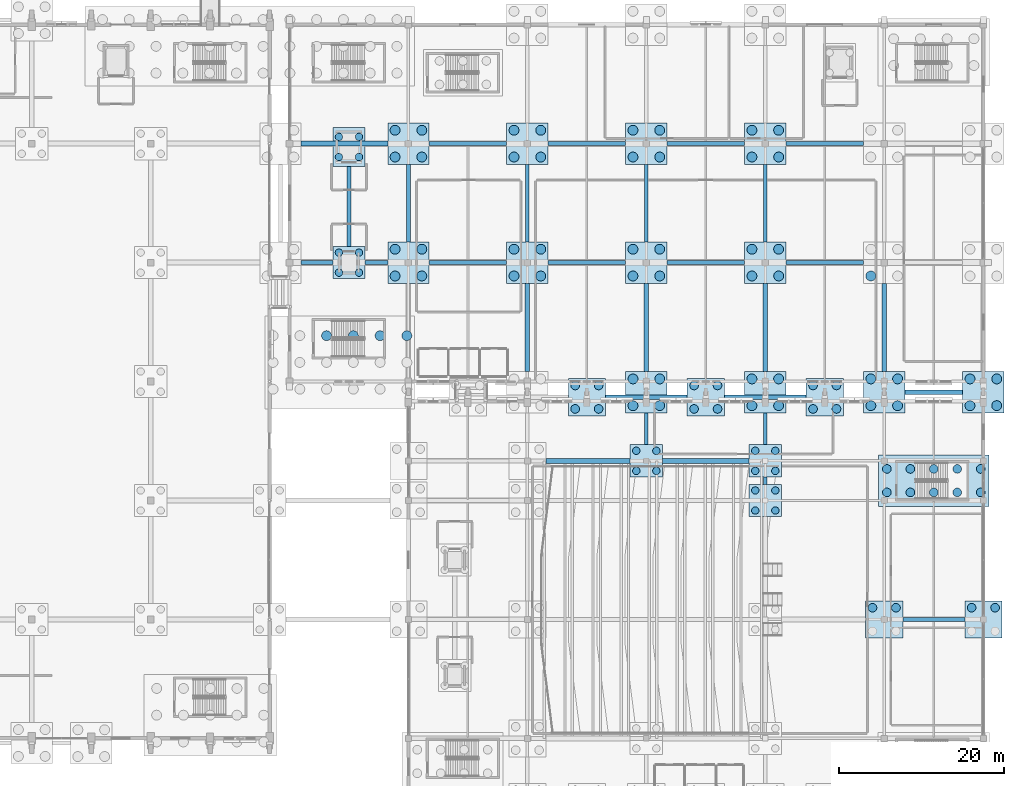
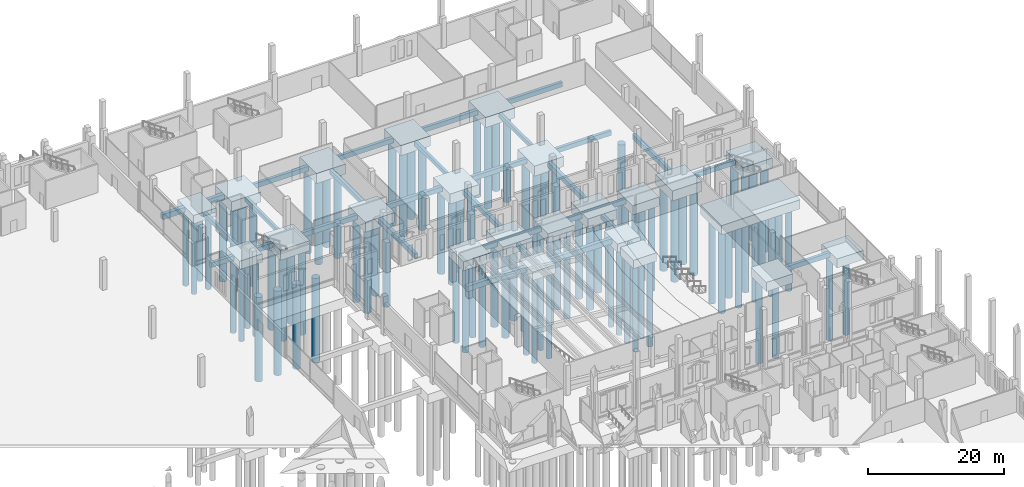
# One storey, part 6 of 192: 99 piles, 52 footings.
"""IFC4 building model written with IfcOpenShell, lengths in metres."""

from ifc_helpers import new_model, si_unit, direction, frame, origin, origin_2d, place, context, subcontext, project, spatial, rectangle, circle, extrude, material, material_profile, profile_set, type_object, element, save


model = new_model("IFC4")

# Units and contexts
model_context = context("Model", 3, precision=1e-05, world=origin(), true_north=direction((0.0, 1.0)))
body_context = subcontext(model_context, "Body", "Model", "MODEL_VIEW")
ifc_project = project(units=[si_unit("LENGTHUNIT", "METRE"), si_unit("AREAUNIT", "SQUARE_METRE"), si_unit("VOLUMEUNIT", "CUBIC_METRE"), si_unit("PLANEANGLEUNIT", "RADIAN"), si_unit("MASSUNIT", "GRAM", prefix="KILO")], contexts=[model_context])

# Site, building, storey
site_placement = place(None, origin())
site = spatial("IfcSite", under=ifc_project, at=site_placement, CompositionType="ELEMENT")
building_placement = place(site_placement, origin())
building = spatial("IfcBuilding", under=site, at=building_placement, Name="Cendralis Lancet Convention Centre", CompositionType="ELEMENT")
storey_placement = place(building_placement, origin())
storey = spatial("IfcBuildingStorey", under=building, at=storey_placement, Name="L00", CompositionType="ELEMENT", Elevation=0.0)

# Footings
ifc_material = material(Name="Concrete G35 (C35/45)", Category="concrete")
footing_type_1 = type_object("IfcFootingType", Name="STR-FT-PC02", PredefinedType="PILE_CAP", material=ifc_material)
for number, where, z_axis, x_axis, name in (
    (1, (160.800048828125, 91.705078125, -3.300048828125), (0.0, 0.0, 1.0), (1.0, 0.0, 0.0), "Pile Cap PC-02 #173"),
    (2, (175.199951171875, 91.705078125, -3.300048828125), (0.0, 0.0, 1.0), (1.0, 0.0, 0.0), "Pile Cap PC-02 #182"),
    (3, (189.60009765625, 91.705078125, -3.300048828125), (0.0, 0.0, 1.0), (1.0, 0.0, 0.0), "Pile Cap PC-02 #193"),
    (4, (196.800048828125, 64.800048828125, -3.300048828125), (0.0, 0.0, 1.0), (1.0, 0.0, 0.0), "Pile Cap PC-02 #195"),
    (5, (208.800048828125, 64.800048828125, -3.300048828125), (0.0, 0.0, 1.0), (1.0, 0.0, 0.0), "Pile Cap PC-02 #202"),
):
    element("IfcFooting", number, at=place(storey_placement, frame(where, z_axis=z_axis, x_axis=x_axis)), inside=storey, type_object=footing_type_1, Name=name, PredefinedType="PILE_CAP", context=body_context, shape_type="SweptSolid", body=[
        extrude(rectangle(XDim=4.5, YDim=4.5, at=origin_2d()), origin(), (0.0, 0.0, 1.0), 1.64990234375),
    ])
footing_type_2 = type_object("IfcFootingType", Name="STR-FT-PC04", PredefinedType="PILE_CAP", material=ifc_material)
for number, where, z_axis, x_axis, name in (
    (6, (132.0, 108.0, -3.14990234375), (0.0, 0.0, 1.0), (1.0, 0.0, 0.0), "Pile Cap PC-04 #150"),
    (7, (168.0, 84.0, -3.14990234375), (0.0, 0.0, 1.0), (1.0, 0.0, 0.0), "Pile Cap PC-04 #176"),
    (8, (182.39990234375, 79.199951171875, -3.14990234375), (0.0, 0.0, 1.0), (1.0, 0.0, 0.0), "Pile Cap PC-04 #186"),
    (9, (182.39990234375, 84.0, -3.14990234375), (0.0, 0.0, 1.0), (1.0, 0.0, 0.0), "Pile Cap PC-04 #187"),
):
    element("IfcFooting", number, at=place(storey_placement, frame(where, z_axis=z_axis, x_axis=x_axis)), inside=storey, type_object=footing_type_2, Name=name, PredefinedType="PILE_CAP", context=body_context, shape_type="SweptSolid", body=[
        extrude(rectangle(XDim=3.89990234375, YDim=3.89990234375, at=origin_2d()), origin(), (0.0, 0.0, 1.0), 1.5),
    ])
footing_type_3 = type_object("IfcFootingType", Name="STR-FT-PC16", PredefinedType="PILE_CAP", material=ifc_material)
for number, where, z_axis, x_axis, name in (
    (10, (139.199951171875, 108.0, -3.4501953125), (0.0, 0.0, 1.0), (1.0, 0.0, 0.0), "Pile Cap PC-16 #155"),
    (11, (139.199951171875, 122.39990234375, -3.4501953125), (0.0, 0.0, 1.0), (1.0, 0.0, 0.0), "Pile Cap PC-16 #156"),
    (12, (153.60009765625, 108.0, -3.4501953125), (0.0, 0.0, 1.0), (1.0, 0.0, 0.0), "Pile Cap PC-16 #168"),
    (13, (153.60009765625, 122.39990234375, -3.4501953125), (0.0, 0.0, 1.0), (1.0, 0.0, 0.0), "Pile Cap PC-16 #169"),
    (14, (168.0, 92.300048828125, -3.4501953125), (0.0, 0.0, 1.0), (1.0, 0.0, 0.0), "Pile Cap PC-16 #177"),
    (15, (168.0, 108.0, -3.4501953125), (0.0, 0.0, 1.0), (1.0, 0.0, 0.0), "Pile Cap PC-16 #178"),
    (16, (168.0, 122.39990234375, -3.4501953125), (0.0, 0.0, 1.0), (1.0, 0.0, 0.0), "Pile Cap PC-16 #179"),
    (17, (182.39990234375, 92.300048828125, -3.4501953125), (0.0, 0.0, 1.0), (1.0, 0.0, 0.0), "Pile Cap PC-16 #188"),
    (18, (182.39990234375, 108.0, -3.4501953125), (0.0, 0.0, 1.0), (1.0, 0.0, 0.0), "Pile Cap PC-16 #189"),
    (19, (182.39990234375, 122.39990234375, -3.4501953125), (0.0, 0.0, 1.0), (1.0, 0.0, 0.0), "Pile Cap PC-16 #190"),
    (20, (196.800048828125, 92.300048828125, -3.4501953125), (0.0, 0.0, 1.0), (1.0, 0.0, 0.0), "Pile Cap PC-16 #196"),
    (21, (208.800048828125, 92.300048828125, -3.4501953125), (0.0, 0.0, 1.0), (1.0, 0.0, 0.0), "Pile Cap PC-16 #203"),
):
    element("IfcFooting", number, at=place(storey_placement, frame(where, z_axis=z_axis, x_axis=x_axis)), inside=storey, type_object=footing_type_3, Name=name, PredefinedType="PILE_CAP", context=body_context, shape_type="SweptSolid", body=[
        extrude(rectangle(XDim=5.0, YDim=5.0, at=origin_2d()), origin(), (0.0, 0.0, 1.0), 1.800048828125),
    ])
footing_type_4 = type_object("IfcFootingType", Name="STR-FT-PC28", PredefinedType="PILE_CAP", material=ifc_material)
footing_1_placement = place(storey_placement, frame((132.0, 122.0, -3.14990234375), z_axis=(0.0, 0.0, 1.0), x_axis=(1.0, 0.0, 0.0)))
element("IfcFooting", 22, at=footing_1_placement, inside=storey, type_object=footing_type_4, Name="Pile Cap PC-28 #151", PredefinedType="PILE_CAP", context=body_context, shape_type="SweptSolid", body=[
    extrude(rectangle(XDim=3.89990234375, YDim=4.699951171875, at=origin_2d()), origin(), (0.0, 0.0, 1.0), 1.5),
])
footing_type_5 = type_object("IfcFootingType", Name="STR-FT-PC31", PredefinedType="PILE_CAP", material=ifc_material)
footing_2_placement = place(storey_placement, frame((202.800048828125, 81.60009765625, -3.300048828125), z_axis=(0.0, 0.0, 1.0), x_axis=(1.0, 0.0, 0.0)))
element("IfcFooting", 23, at=footing_2_placement, inside=storey, type_object=footing_type_5, Name="Pile Cap PC-31 #200", PredefinedType="PILE_CAP", context=body_context, shape_type="SweptSolid", body=[
    extrude(rectangle(XDim=13.39990234375, YDim=6.199951171875, at=origin_2d()), origin(), (0.0, 0.0, 1.0), 1.64990234375),
])
ifc_material_profile_1 = material_profile(ifc_material, rectangle(XDim=0.60009765625, YDim=0.949951171875, at=origin_2d()), Name="RCB 600x950")
ifc_profile_set_1 = profile_set([ifc_material_profile_1], Name="Concrete G35 (C35/45)")
footing_type_6 = type_object("IfcFootingType", Name="STR-GB-GB01", PredefinedType="FOOTING_BEAM", material=ifc_profile_set_1)
footing_3_placement = place(storey_placement, frame((155.85009765625, 84.0, -2.125), z_axis=(1.0, 0.0, 0.0), x_axis=(0.0, 1.0, 0.0)))
element("IfcFooting", 24, at=footing_3_placement, inside=storey, type_object=footing_type_6, Name="Ground Tie Beam GB01 X-093", PredefinedType="FOOTING_BEAM", context=body_context, shape_type="SweptSolid", body=[
    extrude(rectangle(XDim=0.60009765625, YDim=0.949951171875, at=origin_2d()), origin(), (0.0, 0.0, 1.0), 10.199951171875),
])
footing_4_placement = place(storey_placement, frame((169.949951171875, 84.0, -2.125), z_axis=(1.0, 0.0, 0.0), x_axis=(0.0, 1.0, 0.0)))
element("IfcFooting", 25, at=footing_4_placement, inside=storey, type_object=footing_type_6, Name="Ground Tie Beam GB01 X-094", PredefinedType="FOOTING_BEAM", context=body_context, shape_type="SweptSolid", body=[
    extrude(rectangle(XDim=0.60009765625, YDim=0.949951171875, at=origin_2d()), origin(), (0.0, 0.0, 1.0), 10.5),
])
footing_5_placement = place(storey_placement, frame((126.211181640625, 122.39990234375, -2.125), z_axis=(1.0, 0.0, 0.0), x_axis=(0.0, 1.0, 0.0)))
element("IfcFooting", 26, at=footing_5_placement, inside=storey, type_object=footing_type_6, Name="Ground Tie Beam GB01 X-120", PredefinedType="FOOTING_BEAM", context=body_context, shape_type="SweptSolid", body=[
    extrude(rectangle(XDim=0.60009765625, YDim=0.949951171875, at=origin_2d()), origin(), (0.0, 0.0, 1.0), 10.48876953125),
])
ifc_material_profile_2 = material_profile(ifc_material, rectangle(XDim=0.550048828125, YDim=0.89990234375, at=origin_2d()), Name="RCB 550x900")
ifc_profile_set_2 = profile_set([ifc_material_profile_2], Name="Concrete G35 (C35/45)")
footing_type_7 = type_object("IfcFootingType", Name="STR-GB-GB02", PredefinedType="FOOTING_BEAM", material=ifc_profile_set_2)
for number, where, z_axis, x_axis, name in (
    (27, (153.60009765625, 94.800048828125, -2.10009765625), (0.0, 1.0, 0.0), (-1.0, 0.0, 0.0), "Ground Tie Beam GB02 Y-219"),
    (28, (168.0, 94.800048828125, -2.10009765625), (0.0, 1.0, 0.0), (-1.0, 0.0, 0.0), "Ground Tie Beam GB02 Y-224"),
    (29, (182.39990234375, 94.800048828125, -2.10009765625), (0.0, 1.0, 0.0), (-1.0, 0.0, 0.0), "Ground Tie Beam GB02 Y-232"),
    (30, (196.800048828125, 94.800048828125, -2.10009765625), (0.0, 1.0, 0.0), (-1.0, 0.0, 0.0), "Ground Tie Beam GB02 Y-235"),
):
    element("IfcFooting", number, at=place(storey_placement, frame(where, z_axis=z_axis, x_axis=x_axis)), inside=storey, type_object=footing_type_7, Name=name, PredefinedType="FOOTING_BEAM", context=body_context, shape_type="SweptSolid", body=[
        extrude(rectangle(XDim=0.550048828125, YDim=0.89990234375, at=origin_2d()), origin(), (0.0, 0.0, 1.0), 10.699951171875),
    ])
ifc_material_profile_3 = material_profile(ifc_material, rectangle(XDim=0.5, YDim=0.85009765625, at=origin_2d()), Name="RCB 500x850")
ifc_profile_set_3 = profile_set([ifc_material_profile_3], Name="Concrete G35 (C35/45)")
footing_type_8 = type_object("IfcFootingType", Name="STR-GB-GB03", PredefinedType="FOOTING_BEAM", material=ifc_profile_set_3)
footing_6_placement = place(storey_placement, frame((199.050048828125, 64.800048828125, -2.074951171875), z_axis=(1.0, 0.0, 0.0), x_axis=(0.0, 1.0, 0.0)))
element("IfcFooting", 31, at=footing_6_placement, inside=storey, type_object=footing_type_8, Name="Ground Tie Beam GB03 X-087", PredefinedType="FOOTING_BEAM", context=body_context, shape_type="SweptSolid", body=[
    extrude(rectangle(XDim=0.5, YDim=0.85009765625, at=origin_2d()), origin(), (0.0, 0.0, 1.0), 7.5),
])
footing_7_placement = place(storey_placement, frame((163.050048828125, 91.705078125, -2.074951171875), z_axis=(1.0, 0.0, 0.0), x_axis=(0.0, 1.0, 0.0)))
element("IfcFooting", 32, at=footing_7_placement, inside=storey, type_object=footing_type_8, Name="Ground Tie Beam GB03 X-096", PredefinedType="FOOTING_BEAM", context=body_context, shape_type="SweptSolid", body=[
    extrude(rectangle(XDim=0.5, YDim=0.85009765625, at=origin_2d()), origin(), (0.0, 0.0, 1.0), 9.89990234375),
])
footing_8_placement = place(storey_placement, frame((177.449951171875, 91.705078125, -2.074951171875), z_axis=(1.0, 0.0, 0.0), x_axis=(0.0, 1.0, 0.0)))
element("IfcFooting", 33, at=footing_8_placement, inside=storey, type_object=footing_type_8, Name="Ground Tie Beam GB03 X-097", PredefinedType="FOOTING_BEAM", context=body_context, shape_type="SweptSolid", body=[
    extrude(rectangle(XDim=0.5, YDim=0.85009765625, at=origin_2d()), origin(), (0.0, 0.0, 1.0), 9.900146484375),
])
footing_9_placement = place(storey_placement, frame((199.300048828125, 92.300048828125, -2.074951171875), z_axis=(1.0, 0.0, 0.0), x_axis=(0.0, 1.0, 0.0)))
element("IfcFooting", 34, at=footing_9_placement, inside=storey, type_object=footing_type_8, Name="Ground Tie Beam GB03 X-098", PredefinedType="FOOTING_BEAM", context=body_context, shape_type="SweptSolid", body=[
    extrude(rectangle(XDim=0.5, YDim=0.85009765625, at=origin_2d()), origin(), (0.0, 0.0, 1.0), 7.0),
])
footing_10_placement = place(storey_placement, frame((126.211181640625, 108.0, -2.074951171875), z_axis=(1.0, 0.0, 0.0), x_axis=(0.0, 1.0, 0.0)))
element("IfcFooting", 35, at=footing_10_placement, inside=storey, type_object=footing_type_8, Name="Ground Tie Beam GB03 X-102", PredefinedType="FOOTING_BEAM", context=body_context, shape_type="SweptSolid", body=[
    extrude(rectangle(XDim=0.5, YDim=0.85009765625, at=origin_2d()), origin(), (0.0, 0.0, 1.0), 3.8388671875),
])
footing_11_placement = place(storey_placement, frame((133.949951171875, 108.0, -2.074951171875), z_axis=(1.0, 0.0, 0.0), x_axis=(0.0, 1.0, 0.0)))
element("IfcFooting", 36, at=footing_11_placement, inside=storey, type_object=footing_type_8, Name="Ground Tie Beam GB03 X-103", PredefinedType="FOOTING_BEAM", context=body_context, shape_type="SweptSolid", body=[
    extrude(rectangle(XDim=0.5, YDim=0.85009765625, at=origin_2d()), origin(), (0.0, 0.0, 1.0), 2.75),
])
footing_12_placement = place(storey_placement, frame((141.699951171875, 108.0, -2.074951171875), z_axis=(1.0, 0.0, 0.0), x_axis=(0.0, 1.0, 0.0)))
element("IfcFooting", 37, at=footing_12_placement, inside=storey, type_object=footing_type_8, Name="Ground Tie Beam GB03 X-104", PredefinedType="FOOTING_BEAM", context=body_context, shape_type="SweptSolid", body=[
    extrude(rectangle(XDim=0.5, YDim=0.85009765625, at=origin_2d()), origin(), (0.0, 0.0, 1.0), 9.400146484375),
])
for number, where, z_axis, x_axis, name in (
    (38, (156.10009765625, 108.0, -2.074951171875), (1.0, 0.0, 0.0), (0.0, 1.0, 0.0), "Ground Tie Beam GB03 X-105"),
    (39, (170.5, 108.0, -2.074951171875), (1.0, 0.0, 0.0), (0.0, 1.0, 0.0), "Ground Tie Beam GB03 X-106"),
):
    element("IfcFooting", number, at=place(storey_placement, frame(where, z_axis=z_axis, x_axis=x_axis)), inside=storey, type_object=footing_type_8, Name=name, PredefinedType="FOOTING_BEAM", context=body_context, shape_type="SweptSolid", body=[
        extrude(rectangle(XDim=0.5, YDim=0.85009765625, at=origin_2d()), origin(), (0.0, 0.0, 1.0), 9.39990234375),
    ])
for number, where, z_axis, x_axis, name in (
    (40, (184.89990234375, 108.0, -2.074951171875), (1.0, 0.0, 0.0), (0.0, 1.0, 0.0), "Ground Tie Beam GB03 X-107"),
    (41, (141.699951171875, 122.39990234375, -2.074951171875), (1.0, 0.0, 0.0), (0.0, 1.0, 0.0), "Ground Tie Beam GB03 X-121"),
):
    element("IfcFooting", number, at=place(storey_placement, frame(where, z_axis=z_axis, x_axis=x_axis)), inside=storey, type_object=footing_type_8, Name=name, PredefinedType="FOOTING_BEAM", context=body_context, shape_type="SweptSolid", body=[
        extrude(rectangle(XDim=0.5, YDim=0.85009765625, at=origin_2d()), origin(), (0.0, 0.0, 1.0), 9.400146484375),
    ])
for number, where, z_axis, x_axis, name in (
    (42, (156.10009765625, 122.39990234375, -2.074951171875), (1.0, 0.0, 0.0), (0.0, 1.0, 0.0), "Ground Tie Beam GB03 X-122"),
    (43, (170.5, 122.39990234375, -2.074951171875), (1.0, 0.0, 0.0), (0.0, 1.0, 0.0), "Ground Tie Beam GB03 X-123"),
):
    element("IfcFooting", number, at=place(storey_placement, frame(where, z_axis=z_axis, x_axis=x_axis)), inside=storey, type_object=footing_type_8, Name=name, PredefinedType="FOOTING_BEAM", context=body_context, shape_type="SweptSolid", body=[
        extrude(rectangle(XDim=0.5, YDim=0.85009765625, at=origin_2d()), origin(), (0.0, 0.0, 1.0), 9.39990234375),
    ])
footing_13_placement = place(storey_placement, frame((184.89990234375, 122.39990234375, -2.074951171875), z_axis=(1.0, 0.0, 0.0), x_axis=(0.0, 1.0, 0.0)))
element("IfcFooting", 44, at=footing_13_placement, inside=storey, type_object=footing_type_8, Name="Ground Tie Beam GB03 X-124", PredefinedType="FOOTING_BEAM", context=body_context, shape_type="SweptSolid", body=[
    extrude(rectangle(XDim=0.5, YDim=0.85009765625, at=origin_2d()), origin(), (0.0, 0.0, 1.0), 9.400146484375),
])
ifc_material_profile_4 = material_profile(ifc_material, rectangle(XDim=0.449951171875, YDim=0.75, at=origin_2d()), Name="RCB 450x750")
ifc_profile_set_4 = profile_set([ifc_material_profile_4], Name="Concrete G35 (C35/45)")
footing_type_9 = type_object("IfcFootingType", Name="STR-GB-GB04", PredefinedType="FOOTING_BEAM", material=ifc_profile_set_4)
footing_14_placement = place(storey_placement, frame((132.0, 109.949951171875, -2.02490234375), z_axis=(0.0, 1.0, 0.0), x_axis=(-1.0, 0.0, 0.0)))
element("IfcFooting", 45, at=footing_14_placement, inside=storey, type_object=footing_type_9, Name="Ground Tie Beam GB04 Y-210", PredefinedType="FOOTING_BEAM", context=body_context, shape_type="SweptSolid", body=[
    extrude(rectangle(XDim=0.449951171875, YDim=0.75, at=origin_2d()), origin(), (0.0, 0.0, 1.0), 9.699951171875),
])
for number, where, z_axis, x_axis, name in (
    (46, (139.199951171875, 110.5, -2.02490234375), (0.0, 1.0, 0.0), (-1.0, 0.0, 0.0), "Ground Tie Beam GB04 Y-213"),
    (47, (153.60009765625, 110.5, -2.02490234375), (0.0, 1.0, 0.0), (-1.0, 0.0, 0.0), "Ground Tie Beam GB04 Y-220"),
):
    element("IfcFooting", number, at=place(storey_placement, frame(where, z_axis=z_axis, x_axis=x_axis)), inside=storey, type_object=footing_type_9, Name=name, PredefinedType="FOOTING_BEAM", context=body_context, shape_type="SweptSolid", body=[
        extrude(rectangle(XDim=0.449951171875, YDim=0.75, at=origin_2d()), origin(), (0.0, 0.0, 1.0), 9.39990234375),
    ])
footing_15_placement = place(storey_placement, frame((168.0, 85.949951171875, -2.02490234375), z_axis=(0.0, 1.0, 0.0), x_axis=(-1.0, 0.0, 0.0)))
element("IfcFooting", 48, at=footing_15_placement, inside=storey, type_object=footing_type_9, Name="Ground Tie Beam GB04 Y-223", PredefinedType="FOOTING_BEAM", context=body_context, shape_type="SweptSolid", body=[
    extrude(rectangle(XDim=0.449951171875, YDim=0.75, at=origin_2d()), origin(), (0.0, 0.0, 1.0), 3.85009765625),
])
footing_16_placement = place(storey_placement, frame((168.0, 110.5, -2.02490234375), z_axis=(0.0, 1.0, 0.0), x_axis=(-1.0, 0.0, 0.0)))
element("IfcFooting", 49, at=footing_16_placement, inside=storey, type_object=footing_type_9, Name="Ground Tie Beam GB04 Y-225", PredefinedType="FOOTING_BEAM", context=body_context, shape_type="SweptSolid", body=[
    extrude(rectangle(XDim=0.449951171875, YDim=0.75, at=origin_2d()), origin(), (0.0, 0.0, 1.0), 9.39990234375),
])
footing_17_placement = place(storey_placement, frame((182.39990234375, 81.14990234375, -2.02490234375), z_axis=(0.0, 1.0, 0.0), x_axis=(-1.0, 0.0, 0.0)))
element("IfcFooting", 50, at=footing_17_placement, inside=storey, type_object=footing_type_9, Name="Ground Tie Beam GB04 Y-230", PredefinedType="FOOTING_BEAM", context=body_context, shape_type="SweptSolid", body=[
    extrude(rectangle(XDim=0.449951171875, YDim=0.75, at=origin_2d()), origin(), (0.0, 0.0, 1.0), 0.900146484375),
])
footing_18_placement = place(storey_placement, frame((182.39990234375, 85.949951171875, -2.02490234375), z_axis=(0.0, 1.0, 0.0), x_axis=(-1.0, 0.0, 0.0)))
element("IfcFooting", 51, at=footing_18_placement, inside=storey, type_object=footing_type_9, Name="Ground Tie Beam GB04 Y-231", PredefinedType="FOOTING_BEAM", context=body_context, shape_type="SweptSolid", body=[
    extrude(rectangle(XDim=0.449951171875, YDim=0.75, at=origin_2d()), origin(), (0.0, 0.0, 1.0), 3.85009765625),
])
footing_19_placement = place(storey_placement, frame((182.39990234375, 110.5, -2.02490234375), z_axis=(0.0, 1.0, 0.0), x_axis=(-1.0, 0.0, 0.0)))
element("IfcFooting", 52, at=footing_19_placement, inside=storey, type_object=footing_type_9, Name="Ground Tie Beam GB04 Y-233", PredefinedType="FOOTING_BEAM", context=body_context, shape_type="SweptSolid", body=[
    extrude(rectangle(XDim=0.449951171875, YDim=0.75, at=origin_2d()), origin(), (0.0, 0.0, 1.0), 9.39990234375),
])

# Piles
ifc_material_profile_5 = material_profile(ifc_material, circle(Radius=0.52490234375, at=origin_2d()), Name="BORED PILE D1050")
ifc_profile_set_5 = profile_set([ifc_material_profile_5], Name="Concrete G35 (C35/45)")
pile_type_1 = type_object("IfcPileType", Name="STR-PL-P1050", PredefinedType="BORED", material=ifc_profile_set_5)
for number, where, z_axis, x_axis, name in (
    (53, (159.3798828125, 90.284912109375, -3.14990234375), (0.0, 0.0, -1.0), (1.0, 0.0, 0.0), "Bored Pile P-1050 FT2-PC-02-173-P1"),
    (54, (159.3798828125, 93.125, -3.14990234375), (0.0, 0.0, -1.0), (1.0, 0.0, 0.0), "Bored Pile P-1050 FT2-PC-02-173-P2"),
    (55, (162.219970703125, 90.284912109375, -3.14990234375), (0.0, 0.0, -1.0), (1.0, 0.0, 0.0), "Bored Pile P-1050 FT2-PC-02-173-P3"),
    (56, (162.219970703125, 93.125, -3.14990234375), (0.0, 0.0, -1.0), (1.0, 0.0, 0.0), "Bored Pile P-1050 FT2-PC-02-173-P4"),
    (57, (173.780029296875, 90.284912109375, -3.14990234375), (0.0, 0.0, -1.0), (1.0, 0.0, 0.0), "Bored Pile P-1050 FT2-PC-02-182-P1"),
    (58, (173.780029296875, 93.125, -3.14990234375), (0.0, 0.0, -1.0), (1.0, 0.0, 0.0), "Bored Pile P-1050 FT2-PC-02-182-P2"),
    (59, (176.6201171875, 90.284912109375, -3.14990234375), (0.0, 0.0, -1.0), (1.0, 0.0, 0.0), "Bored Pile P-1050 FT2-PC-02-182-P3"),
    (60, (176.6201171875, 93.125, -3.14990234375), (0.0, 0.0, -1.0), (1.0, 0.0, 0.0), "Bored Pile P-1050 FT2-PC-02-182-P4"),
    (61, (188.179931640625, 90.284912109375, -3.14990234375), (0.0, 0.0, -1.0), (1.0, 0.0, 0.0), "Bored Pile P-1050 FT2-PC-02-193-P1"),
    (62, (188.179931640625, 93.125, -3.14990234375), (0.0, 0.0, -1.0), (1.0, 0.0, 0.0), "Bored Pile P-1050 FT2-PC-02-193-P2"),
    (63, (191.02001953125, 90.284912109375, -3.14990234375), (0.0, 0.0, -1.0), (1.0, 0.0, 0.0), "Bored Pile P-1050 FT2-PC-02-193-P3"),
    (64, (191.02001953125, 93.125, -3.14990234375), (0.0, 0.0, -1.0), (1.0, 0.0, 0.0), "Bored Pile P-1050 FT2-PC-02-193-P4"),
    (65, (195.3798828125, 66.219970703125, -3.14990234375), (0.0, 0.0, -1.0), (1.0, 0.0, 0.0), "Bored Pile P-1050 FT2-PC-02-195-P2"),
    (66, (198.219970703125, 66.219970703125, -3.14990234375), (0.0, 0.0, -1.0), (1.0, 0.0, 0.0), "Bored Pile P-1050 FT2-PC-02-195-P4"),
    (67, (197.1201171875, 80.179931640625, -3.14990234375), (0.0, 0.0, -1.0), (1.0, 0.0, 0.0), "Bored Pile P-1050 FT2-PC-31-200-P1"),
    (68, (197.1201171875, 83.02001953125, -3.14990234375), (0.0, 0.0, -1.0), (1.0, 0.0, 0.0), "Bored Pile P-1050 FT2-PC-31-200-P2"),
    (69, (199.9599609375, 80.179931640625, -3.14990234375), (0.0, 0.0, -1.0), (1.0, 0.0, 0.0), "Bored Pile P-1050 FT2-PC-31-200-P3"),
    (70, (199.9599609375, 83.02001953125, -3.14990234375), (0.0, 0.0, -1.0), (1.0, 0.0, 0.0), "Bored Pile P-1050 FT2-PC-31-200-P4"),
    (71, (202.800048828125, 80.179931640625, -3.14990234375), (0.0, 0.0, -1.0), (1.0, 0.0, 0.0), "Bored Pile P-1050 FT2-PC-31-200-P5"),
    (72, (202.800048828125, 83.02001953125, -3.14990234375), (0.0, 0.0, -1.0), (1.0, 0.0, 0.0), "Bored Pile P-1050 FT2-PC-31-200-P6"),
    (73, (205.639892578125, 80.179931640625, -3.14990234375), (0.0, 0.0, -1.0), (1.0, 0.0, 0.0), "Bored Pile P-1050 FT2-PC-31-200-P7"),
    (74, (205.639892578125, 83.02001953125, -3.14990234375), (0.0, 0.0, -1.0), (1.0, 0.0, 0.0), "Bored Pile P-1050 FT2-PC-31-200-P8"),
    (75, (208.47998046875, 80.179931640625, -3.14990234375), (0.0, 0.0, -1.0), (1.0, 0.0, 0.0), "Bored Pile P-1050 FT2-PC-31-200-P9"),
    (76, (208.47998046875, 83.02001953125, -3.14990234375), (0.0, 0.0, -1.0), (1.0, 0.0, 0.0), "Bored Pile P-1050 FT2-PC-31-200-P10"),
    (77, (207.3798828125, 66.219970703125, -3.14990234375), (0.0, 0.0, -1.0), (1.0, 0.0, 0.0), "Bored Pile P-1050 FT2-PC-02-202-P2"),
    (78, (210.219970703125, 66.219970703125, -3.14990234375), (0.0, 0.0, -1.0), (1.0, 0.0, 0.0), "Bored Pile P-1050 FT2-PC-02-202-P4"),
):
    element("IfcPile", number, at=place(storey_placement, frame(where, z_axis=z_axis, x_axis=x_axis)), inside=storey, type_object=pile_type_1, Name=name, PredefinedType="BORED", context=body_context, shape_type="SweptSolid", body=[
        extrude(circle(Radius=0.52490234375, at=origin_2d()), origin(), (0.0, 0.0, 1.0), 15.35009765625),
    ])
ifc_material_profile_6 = material_profile(ifc_material, circle(Radius=0.60009765625, at=origin_2d()), Name="BORED PILE D1200")
ifc_profile_set_6 = profile_set([ifc_material_profile_6], Name="Concrete G35 (C35/45)")
pile_type_2 = type_object("IfcPileType", Name="STR-PL-P1200", PredefinedType="BORED", material=ifc_profile_set_6)
for number, where, z_axis, x_axis, name in (
    (79, (129.291015625, 99.155029296875, -3.300048828125), (0.0, 0.0, -1.0), (1.0, 0.0, 0.0), "Bored Pile P-1200 FT2-PC-27-149-P9"),
    (80, (132.531005859375, 99.155029296875, -3.300048828125), (0.0, 0.0, -1.0), (1.0, 0.0, 0.0), "Bored Pile P-1200 FT2-PC-27-149-P12"),
    (81, (135.77099609375, 99.155029296875, -3.300048828125), (0.0, 0.0, -1.0), (1.0, 0.0, 0.0), "Bored Pile P-1200 FT2-PC-27-149-P15"),
    (82, (139.010986328125, 99.155029296875, -3.300048828125), (0.0, 0.0, -1.0), (1.0, 0.0, 0.0), "Bored Pile P-1200 FT2-PC-27-149-P18"),
    (83, (137.580078125, 106.3798828125, -3.300048828125), (0.0, 0.0, -1.0), (1.0, 0.0, 0.0), "Bored Pile P-1200 FT2-PC-16-155-P1"),
    (84, (137.580078125, 109.6201171875, -3.300048828125), (0.0, 0.0, -1.0), (1.0, 0.0, 0.0), "Bored Pile P-1200 FT2-PC-16-155-P2"),
    (85, (140.820068359375, 106.3798828125, -3.300048828125), (0.0, 0.0, -1.0), (1.0, 0.0, 0.0), "Bored Pile P-1200 FT2-PC-16-155-P3"),
    (86, (140.820068359375, 109.6201171875, -3.300048828125), (0.0, 0.0, -1.0), (1.0, 0.0, 0.0), "Bored Pile P-1200 FT2-PC-16-155-P4"),
    (87, (137.580078125, 120.780029296875, -3.300048828125), (0.0, 0.0, -1.0), (1.0, 0.0, 0.0), "Bored Pile P-1200 FT2-PC-16-156-P1"),
    (88, (137.580078125, 124.02001953125, -3.300048828125), (0.0, 0.0, -1.0), (1.0, 0.0, 0.0), "Bored Pile P-1200 FT2-PC-16-156-P2"),
    (89, (140.820068359375, 120.780029296875, -3.300048828125), (0.0, 0.0, -1.0), (1.0, 0.0, 0.0), "Bored Pile P-1200 FT2-PC-16-156-P3"),
    (90, (140.820068359375, 124.02001953125, -3.300048828125), (0.0, 0.0, -1.0), (1.0, 0.0, 0.0), "Bored Pile P-1200 FT2-PC-16-156-P4"),
    (91, (151.97998046875, 106.3798828125, -3.300048828125), (0.0, 0.0, -1.0), (1.0, 0.0, 0.0), "Bored Pile P-1200 FT2-PC-16-168-P1"),
    (92, (151.97998046875, 109.6201171875, -3.300048828125), (0.0, 0.0, -1.0), (1.0, 0.0, 0.0), "Bored Pile P-1200 FT2-PC-16-168-P2"),
    (93, (155.219970703125, 106.3798828125, -3.300048828125), (0.0, 0.0, -1.0), (1.0, 0.0, 0.0), "Bored Pile P-1200 FT2-PC-16-168-P3"),
    (94, (155.219970703125, 109.6201171875, -3.300048828125), (0.0, 0.0, -1.0), (1.0, 0.0, 0.0), "Bored Pile P-1200 FT2-PC-16-168-P4"),
    (95, (151.97998046875, 120.780029296875, -3.300048828125), (0.0, 0.0, -1.0), (1.0, 0.0, 0.0), "Bored Pile P-1200 FT2-PC-16-169-P1"),
    (96, (151.97998046875, 124.02001953125, -3.300048828125), (0.0, 0.0, -1.0), (1.0, 0.0, 0.0), "Bored Pile P-1200 FT2-PC-16-169-P2"),
    (97, (155.219970703125, 120.780029296875, -3.300048828125), (0.0, 0.0, -1.0), (1.0, 0.0, 0.0), "Bored Pile P-1200 FT2-PC-16-169-P3"),
    (98, (155.219970703125, 124.02001953125, -3.300048828125), (0.0, 0.0, -1.0), (1.0, 0.0, 0.0), "Bored Pile P-1200 FT2-PC-16-169-P4"),
    (99, (166.3798828125, 90.679931640625, -3.300048828125), (0.0, 0.0, -1.0), (1.0, 0.0, 0.0), "Bored Pile P-1200 FT2-PC-16-177-P1"),
    (100, (166.3798828125, 93.919921875, -3.300048828125), (0.0, 0.0, -1.0), (1.0, 0.0, 0.0), "Bored Pile P-1200 FT2-PC-16-177-P2"),
    (101, (169.6201171875, 90.679931640625, -3.300048828125), (0.0, 0.0, -1.0), (1.0, 0.0, 0.0), "Bored Pile P-1200 FT2-PC-16-177-P3"),
    (102, (169.6201171875, 93.919921875, -3.300048828125), (0.0, 0.0, -1.0), (1.0, 0.0, 0.0), "Bored Pile P-1200 FT2-PC-16-177-P4"),
    (103, (166.3798828125, 106.3798828125, -3.300048828125), (0.0, 0.0, -1.0), (1.0, 0.0, 0.0), "Bored Pile P-1200 FT2-PC-16-178-P1"),
    (104, (166.3798828125, 109.6201171875, -3.300048828125), (0.0, 0.0, -1.0), (1.0, 0.0, 0.0), "Bored Pile P-1200 FT2-PC-16-178-P2"),
    (105, (169.6201171875, 106.3798828125, -3.300048828125), (0.0, 0.0, -1.0), (1.0, 0.0, 0.0), "Bored Pile P-1200 FT2-PC-16-178-P3"),
    (106, (169.6201171875, 109.6201171875, -3.300048828125), (0.0, 0.0, -1.0), (1.0, 0.0, 0.0), "Bored Pile P-1200 FT2-PC-16-178-P4"),
    (107, (166.3798828125, 120.780029296875, -3.300048828125), (0.0, 0.0, -1.0), (1.0, 0.0, 0.0), "Bored Pile P-1200 FT2-PC-16-179-P1"),
    (108, (166.3798828125, 124.02001953125, -3.300048828125), (0.0, 0.0, -1.0), (1.0, 0.0, 0.0), "Bored Pile P-1200 FT2-PC-16-179-P2"),
    (109, (169.6201171875, 120.780029296875, -3.300048828125), (0.0, 0.0, -1.0), (1.0, 0.0, 0.0), "Bored Pile P-1200 FT2-PC-16-179-P3"),
    (110, (169.6201171875, 124.02001953125, -3.300048828125), (0.0, 0.0, -1.0), (1.0, 0.0, 0.0), "Bored Pile P-1200 FT2-PC-16-179-P4"),
    (111, (180.780029296875, 90.679931640625, -3.300048828125), (0.0, 0.0, -1.0), (1.0, 0.0, 0.0), "Bored Pile P-1200 FT2-PC-16-188-P1"),
    (112, (180.780029296875, 93.919921875, -3.300048828125), (0.0, 0.0, -1.0), (1.0, 0.0, 0.0), "Bored Pile P-1200 FT2-PC-16-188-P2"),
    (113, (184.02001953125, 90.679931640625, -3.300048828125), (0.0, 0.0, -1.0), (1.0, 0.0, 0.0), "Bored Pile P-1200 FT2-PC-16-188-P3"),
    (114, (184.02001953125, 93.919921875, -3.300048828125), (0.0, 0.0, -1.0), (1.0, 0.0, 0.0), "Bored Pile P-1200 FT2-PC-16-188-P4"),
    (115, (180.780029296875, 106.3798828125, -3.300048828125), (0.0, 0.0, -1.0), (1.0, 0.0, 0.0), "Bored Pile P-1200 FT2-PC-16-189-P1"),
    (116, (180.780029296875, 109.6201171875, -3.300048828125), (0.0, 0.0, -1.0), (1.0, 0.0, 0.0), "Bored Pile P-1200 FT2-PC-16-189-P2"),
    (117, (184.02001953125, 106.3798828125, -3.300048828125), (0.0, 0.0, -1.0), (1.0, 0.0, 0.0), "Bored Pile P-1200 FT2-PC-16-189-P3"),
    (118, (184.02001953125, 109.6201171875, -3.300048828125), (0.0, 0.0, -1.0), (1.0, 0.0, 0.0), "Bored Pile P-1200 FT2-PC-16-189-P4"),
    (119, (180.780029296875, 120.780029296875, -3.300048828125), (0.0, 0.0, -1.0), (1.0, 0.0, 0.0), "Bored Pile P-1200 FT2-PC-16-190-P1"),
    (120, (180.780029296875, 124.02001953125, -3.300048828125), (0.0, 0.0, -1.0), (1.0, 0.0, 0.0), "Bored Pile P-1200 FT2-PC-16-190-P2"),
    (121, (184.02001953125, 120.780029296875, -3.300048828125), (0.0, 0.0, -1.0), (1.0, 0.0, 0.0), "Bored Pile P-1200 FT2-PC-16-190-P3"),
    (122, (184.02001953125, 124.02001953125, -3.300048828125), (0.0, 0.0, -1.0), (1.0, 0.0, 0.0), "Bored Pile P-1200 FT2-PC-16-190-P4"),
    (123, (195.179931640625, 90.679931640625, -3.300048828125), (0.0, 0.0, -1.0), (1.0, 0.0, 0.0), "Bored Pile P-1200 FT2-PC-16-196-P1"),
    (124, (195.179931640625, 93.919921875, -3.300048828125), (0.0, 0.0, -1.0), (1.0, 0.0, 0.0), "Bored Pile P-1200 FT2-PC-16-196-P2"),
    (125, (198.419921875, 90.679931640625, -3.300048828125), (0.0, 0.0, -1.0), (1.0, 0.0, 0.0), "Bored Pile P-1200 FT2-PC-16-196-P3"),
    (126, (198.419921875, 93.919921875, -3.300048828125), (0.0, 0.0, -1.0), (1.0, 0.0, 0.0), "Bored Pile P-1200 FT2-PC-16-196-P4"),
    (127, (195.179931640625, 106.3798828125, -3.300048828125), (0.0, 0.0, -1.0), (1.0, 0.0, 0.0), "Bored Pile P-1200 FT2-PC-16-197-P1"),
    (128, (207.179931640625, 90.679931640625, -3.300048828125), (0.0, 0.0, -1.0), (1.0, 0.0, 0.0), "Bored Pile P-1200 FT2-PC-16-203-P1"),
    (129, (207.179931640625, 93.919921875, -3.300048828125), (0.0, 0.0, -1.0), (1.0, 0.0, 0.0), "Bored Pile P-1200 FT2-PC-16-203-P2"),
    (130, (210.419921875, 90.679931640625, -3.300048828125), (0.0, 0.0, -1.0), (1.0, 0.0, 0.0), "Bored Pile P-1200 FT2-PC-16-203-P3"),
    (131, (210.419921875, 93.919921875, -3.300048828125), (0.0, 0.0, -1.0), (1.0, 0.0, 0.0), "Bored Pile P-1200 FT2-PC-16-203-P4"),
):
    element("IfcPile", number, at=place(storey_placement, frame(where, z_axis=z_axis, x_axis=x_axis)), inside=storey, type_object=pile_type_2, Name=name, PredefinedType="BORED", context=body_context, shape_type="SweptSolid", body=[
        extrude(circle(Radius=0.60009765625, at=origin_2d()), origin(), (0.0, 0.0, 1.0), 15.199951171875),
    ])
ifc_material_profile_7 = material_profile(ifc_material, circle(Radius=0.449951171875, at=origin_2d()), Name="BORED PILE D900")
ifc_profile_set_7 = profile_set([ifc_material_profile_7], Name="Concrete G35 (C35/45)")
pile_type_3 = type_object("IfcPileType", Name="STR-PL-P900", PredefinedType="BORED", material=ifc_profile_set_7)
for number, where, z_axis, x_axis, name in (
    (132, (130.784912109375, 106.784912109375, -3.0), (0.0, 0.0, -1.0), (1.0, 0.0, 0.0), "Bored Pile P-900 FT2-PC-04-150-P1"),
    (133, (130.784912109375, 109.215087890625, -3.0), (0.0, 0.0, -1.0), (1.0, 0.0, 0.0), "Bored Pile P-900 FT2-PC-04-150-P2"),
    (134, (133.215087890625, 106.784912109375, -3.0), (0.0, 0.0, -1.0), (1.0, 0.0, 0.0), "Bored Pile P-900 FT2-PC-04-150-P3"),
    (135, (133.215087890625, 109.215087890625, -3.0), (0.0, 0.0, -1.0), (1.0, 0.0, 0.0), "Bored Pile P-900 FT2-PC-04-150-P4"),
    (136, (130.784912109375, 120.784912109375, -3.0), (0.0, 0.0, -1.0), (1.0, 0.0, 0.0), "Bored Pile P-900 FT2-PC-28-151-P1"),
    (137, (130.784912109375, 123.215087890625, -3.0), (0.0, 0.0, -1.0), (1.0, 0.0, 0.0), "Bored Pile P-900 FT2-PC-28-151-P2"),
    (138, (133.215087890625, 120.784912109375, -3.0), (0.0, 0.0, -1.0), (1.0, 0.0, 0.0), "Bored Pile P-900 FT2-PC-28-151-P3"),
    (139, (133.215087890625, 123.215087890625, -3.0), (0.0, 0.0, -1.0), (1.0, 0.0, 0.0), "Bored Pile P-900 FT2-PC-28-151-P4"),
):
    element("IfcPile", number, at=place(storey_placement, frame(where, z_axis=z_axis, x_axis=x_axis)), inside=storey, type_object=pile_type_3, Name=name, PredefinedType="BORED", context=body_context, shape_type="SweptSolid", body=[
        extrude(circle(Radius=0.449951171875, at=origin_2d()), origin(), (0.0, 0.0, 1.0), 13.5),
    ])
for number, where, z_axis, x_axis, name in (
    (140, (166.784912109375, 82.784912109375, -3.0), (0.0, 0.0, -1.0), (1.0, 0.0, 0.0), "Bored Pile P-900 FT2-PC-04-176-P1"),
    (141, (166.784912109375, 85.215087890625, -3.0), (0.0, 0.0, -1.0), (1.0, 0.0, 0.0), "Bored Pile P-900 FT2-PC-04-176-P2"),
    (142, (169.215087890625, 82.784912109375, -3.0), (0.0, 0.0, -1.0), (1.0, 0.0, 0.0), "Bored Pile P-900 FT2-PC-04-176-P3"),
    (143, (169.215087890625, 85.215087890625, -3.0), (0.0, 0.0, -1.0), (1.0, 0.0, 0.0), "Bored Pile P-900 FT2-PC-04-176-P4"),
    (144, (181.18505859375, 77.985107421875, -3.0), (0.0, 0.0, -1.0), (1.0, 0.0, 0.0), "Bored Pile P-900 FT2-PC-04-186-P1"),
    (145, (181.18505859375, 80.4150390625, -3.0), (0.0, 0.0, -1.0), (1.0, 0.0, 0.0), "Bored Pile P-900 FT2-PC-04-186-P2"),
    (146, (183.614990234375, 77.985107421875, -3.0), (0.0, 0.0, -1.0), (1.0, 0.0, 0.0), "Bored Pile P-900 FT2-PC-04-186-P3"),
    (147, (183.614990234375, 80.4150390625, -3.0), (0.0, 0.0, -1.0), (1.0, 0.0, 0.0), "Bored Pile P-900 FT2-PC-04-186-P4"),
    (148, (181.18505859375, 82.784912109375, -3.0), (0.0, 0.0, -1.0), (1.0, 0.0, 0.0), "Bored Pile P-900 FT2-PC-04-187-P1"),
    (149, (181.18505859375, 85.215087890625, -3.0), (0.0, 0.0, -1.0), (1.0, 0.0, 0.0), "Bored Pile P-900 FT2-PC-04-187-P2"),
    (150, (183.614990234375, 82.784912109375, -3.0), (0.0, 0.0, -1.0), (1.0, 0.0, 0.0), "Bored Pile P-900 FT2-PC-04-187-P3"),
    (151, (183.614990234375, 85.215087890625, -3.0), (0.0, 0.0, -1.0), (1.0, 0.0, 0.0), "Bored Pile P-900 FT2-PC-04-187-P4"),
):
    element("IfcPile", number, at=place(storey_placement, frame(where, z_axis=z_axis, x_axis=x_axis)), inside=storey, type_object=pile_type_3, Name=name, PredefinedType="BORED", context=body_context, shape_type="SweptSolid", body=[
        extrude(circle(Radius=0.449951171875, at=origin_2d()), origin(), (0.0, 0.0, 1.0), 15.5),
    ])

save(model, "model.ifc")
